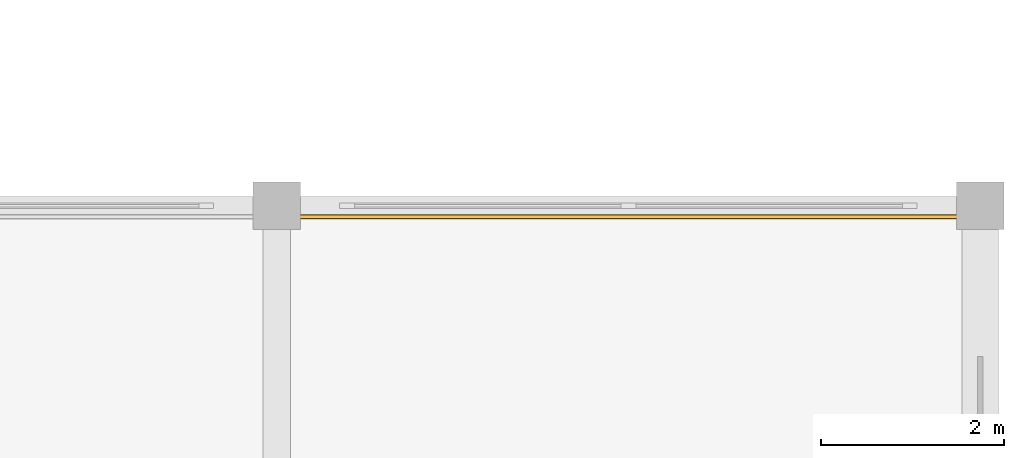
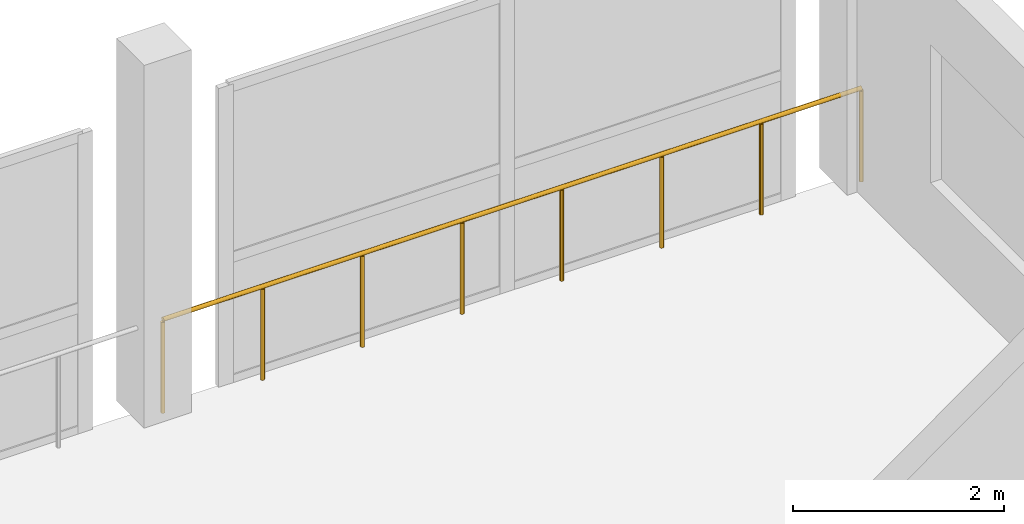
# One storey, part 53 of 53: 1 railing.
"""IFC4 building model written with IfcOpenShell, lengths in metres."""

from ifc_helpers import new_model, si_unit, direction, frame, origin, origin_2d, place, context, subcontext, project, spatial, circle, extrude, material, type_object, element, save


model = new_model("IFC4")

# Units and contexts
model_context = context("Model", 3, precision=1e-05, world=origin(), true_north=direction((0.0, 1.0)))
body_context = subcontext(model_context, "Body", "Model", "MODEL_VIEW")
ifc_project = project(units=[si_unit("LENGTHUNIT", "METRE"), si_unit("AREAUNIT", "SQUARE_METRE"), si_unit("VOLUMEUNIT", "CUBIC_METRE"), si_unit("PLANEANGLEUNIT", "RADIAN"), si_unit("MASSUNIT", "GRAM", prefix="KILO")], contexts=[model_context])

# Site, building, storey
site_placement = place(None, origin())
site = spatial("IfcSite", under=ifc_project, at=site_placement, CompositionType="ELEMENT")
building_placement = place(site_placement, origin())
building = spatial("IfcBuilding", under=site, at=building_placement, Name="Vharandega Faculty of Natural Sciences", CompositionType="ELEMENT")
storey_placement = place(building_placement, frame((0.0, 0.0, 10.199951171875)))
storey = spatial("IfcBuildingStorey", under=building, at=storey_placement, Name="L02", CompositionType="ELEMENT", Elevation=10.199951171875)

# Railing
ifc_material = material(Name="Timber-capped steel and glass balustrade", Category="steel")
railing_type = type_object("IfcRailingType", Name="Atrium Void Balustrade 1100", PredefinedType="BALUSTRADE", material=ifc_material)
railing_placement = place(storey_placement, frame((153.72509765625, 84.8798828125, 0.0)))
element("IfcRailing", 1, at=railing_placement, inside=storey, type_object=railing_type, Name="Laboratory Glazing Sill Balustrade L02 #6", PredefinedType="BALUSTRADE", context=body_context, shape_type="SweptSolid", body=[
    extrude(circle(Radius=0.02392578125, at=origin_2d()), frame((0.0, 0.0, 1.076171875), z_axis=(1.0, 0.0, 0.0), x_axis=(0.0, 1.0, 0.0)), (0.0, 0.0, 1.0), 7.64990234375),
    extrude(circle(Radius=0.02099609375, at=origin_2d()), origin(), (0.0, 0.0, 1.0), 1.052001953125),
    extrude(circle(Radius=0.02099609375, at=origin_2d()), frame((1.0927734375, 0.0, 0.0)), (0.0, 0.0, 1.0), 1.052001953125),
    extrude(circle(Radius=0.02099609375, at=origin_2d()), frame((2.185791015625, 0.0, 0.0)), (0.0, 0.0, 1.0), 1.052001953125),
    extrude(circle(Radius=0.02099609375, at=origin_2d()), frame((3.278564453125, 0.0, 0.0)), (0.0, 0.0, 1.0), 1.052001953125),
    extrude(circle(Radius=0.02099609375, at=origin_2d()), frame((4.371337890625, 0.0, 0.0)), (0.0, 0.0, 1.0), 1.052001953125),
    extrude(circle(Radius=0.02099609375, at=origin_2d()), frame((5.464111328125, 0.0, 0.0)), (0.0, 0.0, 1.0), 1.052001953125),
    extrude(circle(Radius=0.02099609375, at=origin_2d()), frame((6.55712890625, 0.0, 0.0)), (0.0, 0.0, 1.0), 1.052001953125),
    extrude(circle(Radius=0.02099609375, at=origin_2d()), frame((7.64990234375, 0.0, 0.0)), (0.0, 0.0, 1.0), 1.052001953125),
])

save(model, "model.ifc")
